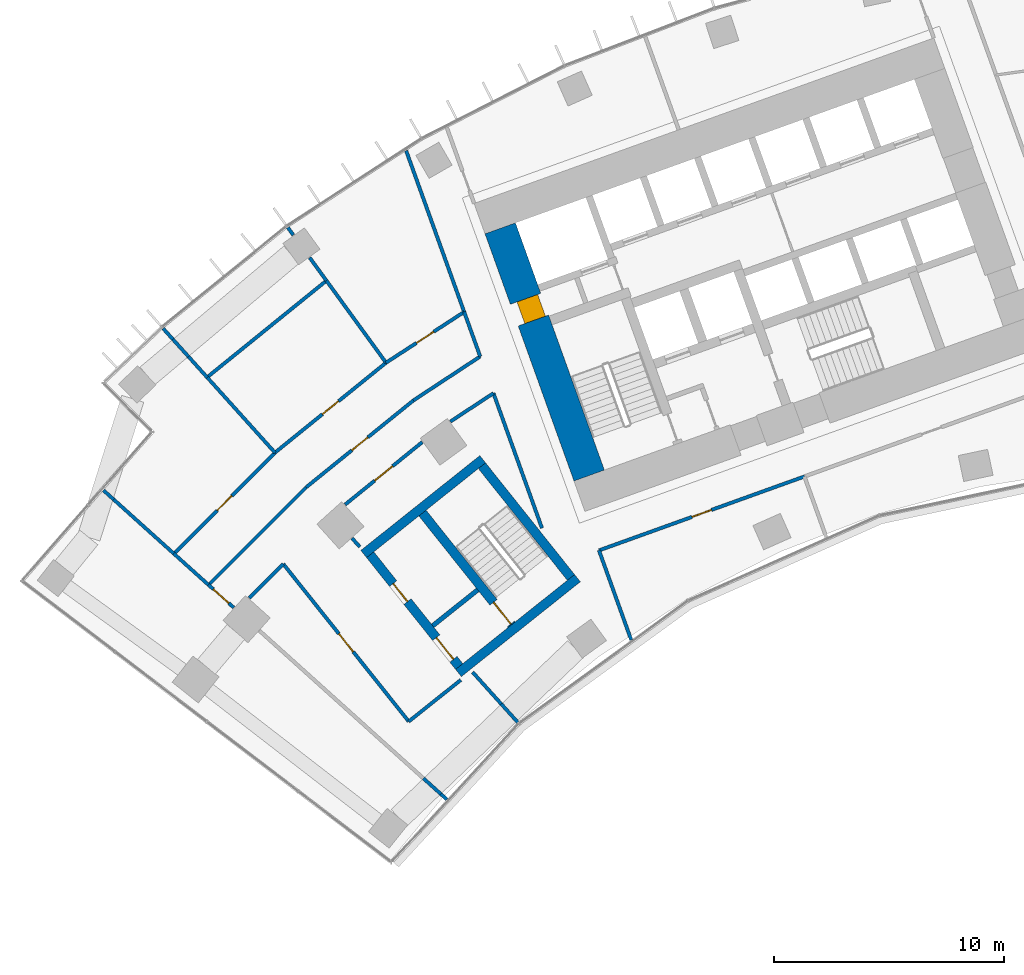
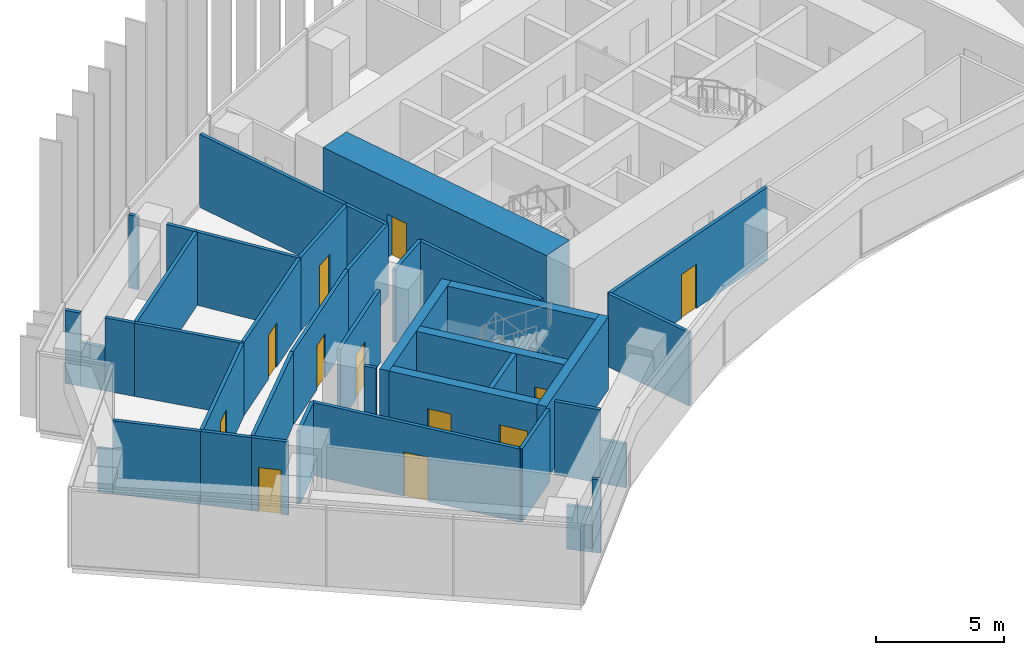
# One storey, part 16 of 23: 40 walls, 12 doors, 12 openings.
"""IFC4 building model written with IfcOpenShell, lengths in metres."""

from ifc_helpers import new_model, si_unit, direction, frame, frame_2d, origin, place, context, subcontext, project, spatial, rectangle, extrude, material, layer, layer_set, type_object, element, fill, save


model = new_model("IFC4")

# Units and contexts
model_context = context("Model", 3, precision=1e-05, world=origin(), true_north=direction((0.0, 1.0)))
body_context = subcontext(model_context, "Body", "Model", "MODEL_VIEW")
ifc_project = project(units=[si_unit("LENGTHUNIT", "METRE"), si_unit("AREAUNIT", "SQUARE_METRE"), si_unit("VOLUMEUNIT", "CUBIC_METRE"), si_unit("PLANEANGLEUNIT", "RADIAN"), si_unit("MASSUNIT", "GRAM", prefix="KILO")], contexts=[model_context])

# Site, building, storey
site_placement = place(None, origin())
site = spatial("IfcSite", under=ifc_project, at=site_placement, CompositionType="ELEMENT")
building_placement = place(site_placement, origin())
building = spatial("IfcBuilding", under=site, at=building_placement, Name="Stone Belt Terrace Tower", CompositionType="ELEMENT")
storey_placement = place(building_placement, frame((0.0, 0.0, 98.39990234375)))
storey = spatial("IfcBuildingStorey", under=building, at=storey_placement, Name="L23", CompositionType="ELEMENT", Elevation=98.39990234375)

# Wall, opening, door
ifc_material_1 = material(Name="Concrete B80", Category="concrete")
ifc_layer_1 = layer(ifc_material_1, 1.39990234375)
ifc_layer_set_1 = layer_set([ifc_layer_1], Name="Core wall 1400 B80")
wall_type_1 = type_object("IfcWallType", Name="Core wall 1400 B80", PredefinedType="SHEAR", material=ifc_layer_set_1)
wall_1_placement = place(storey_placement, frame((-26.00927734375, 43.03515625, 0.0), z_axis=(0.0, 0.0, 1.0), x_axis=(-0.338625431531, 0.940921259788, 0.0)))
wall_1 = element("IfcWall", 1, at=wall_1_placement, inside=storey, type_object=wall_type_1, Name="Core A wall end_a L23", PredefinedType="SHEAR", context=body_context, shape_type="SweptSolid", body=[
    extrude(rectangle(XDim=11.400146484375, YDim=1.39990234375, at=frame_2d((5.7001953125, 0.0))), origin(), (0.0, 0.0, 1.0), 3.800048828125),
])
opening_1_placement = place(wall_1_placement, frame((7.14990234375, 0.0, 0.0)))
opening_1 = element("IfcOpeningElement", 2, at=opening_1_placement, cuts=wall_1, Name="Opening L23-C01", PredefinedType="OPENING", context=body_context, shape_type="SweptSolid", body=[
    extrude(rectangle(XDim=1.0, YDim=2.10009765625, at=frame_2d((0.5, 1.050048828125))), frame((0.0, 0.7099609375, 0.0), z_axis=(0.0, -1.0, 0.0), x_axis=(1.0, 0.0, 0.0)), (0.0, 0.0, 1.0), 1.419921875),
])
ifc_material_2 = material(Name="Timber door leaf", Category="wood")
door_type_1 = type_object("IfcDoorType", Name="Core room door 1000", OperationType="SINGLE_SWING_LEFT", PredefinedType="DOOR", material=ifc_material_2)
door_1_placement = place(opening_1_placement, origin())
door_1 = element("IfcDoor", 3, at=door_1_placement, inside=storey, type_object=door_type_1, Name="Door to Telecommunications riser room core A", OperationType="SINGLE_SWING_LEFT", OverallHeight=2.10009765625, OverallWidth=1.0, PredefinedType="DOOR", context=body_context, shape_type="SweptSolid", body=[
    extrude(rectangle(XDim=1.0, YDim=2.10009765625, at=frame_2d((0.5, 1.050048828125))), frame((0.0, 0.39501953125, 0.0), z_axis=(0.0, -1.0, 0.0), x_axis=(1.0, 0.0, 0.0)), (0.0, 0.0, 1.0), 0.949951171875),
])
fill(opening_1, door_1)

# Walls
ifc_material_3 = material(Name="Gypsum board partition")
ifc_layer_2 = layer(ifc_material_3, 0.14990234375)
ifc_layer_set_2 = layer_set([ifc_layer_2], Name="PARTITION 150 EI 60")
wall_type_2 = type_object("IfcWallType", Name="PARTITION 150 EI 60", PredefinedType="PARTITIONING", material=ifc_layer_set_2)
wall_2_placement = place(storey_placement, frame((-25.5859375, 39.79296875, 0.0), z_axis=(0.0, 0.0, 1.0), x_axis=(0.338545933013, -0.940949866486, 0.0)))
element("IfcWall", 4, at=wall_2_placement, inside=storey, type_object=wall_type_2, Name="L23/wall/i001", PredefinedType="PARTITIONING", context=body_context, shape_type="SweptSolid", body=[
    extrude(rectangle(XDim=4.135009765625, YDim=0.14990234375, at=frame_2d((2.0673828125, 0.0))), origin(), (0.0, 0.0, 1.0), 3.47998046875),
])
wall_3_placement = place(storey_placement, frame((-28.05810546875, 40.75390625, 0.0), z_axis=(0.0, 0.0, 1.0), x_axis=(-0.338523697563, 0.94095786632, 0.0)))
element("IfcWall", 5, at=wall_3_placement, inside=storey, type_object=wall_type_2, Name="L23/wall/i003", PredefinedType="PARTITIONING", context=body_context, shape_type="SweptSolid", body=[
    extrude(rectangle(XDim=6.226806640625, YDim=0.14990234375, at=frame_2d((3.11328125, 0.0))), origin(), (0.0, 0.0, 1.0), 3.47998046875),
])
wall_4_placement = place(storey_placement, frame((-29.107177734375, 32.32666015625, 0.0), z_axis=(0.0, 0.0, 1.0), x_axis=(-0.669280928741, 0.743009447062, 0.0)))
element("IfcWall", 6, at=wall_4_placement, inside=storey, type_object=wall_type_2, Name="L23/wall/i004-2", PredefinedType="PARTITIONING", context=body_context, shape_type="SweptSolid", body=[
    extrude(rectangle(XDim=1.066162109375, YDim=0.14990234375, at=frame_2d((0.533203125, 0.0))), origin(), (0.0, 0.0, 1.0), 2.080078125),
])
wall_5_placement = place(storey_placement, frame((-29.82080078125, 33.118896484375, 0.0), z_axis=(0.0, 0.0, 1.0), x_axis=(-0.669224611533, 0.743060172071, 0.0)))
element("IfcWall", 7, at=wall_5_placement, inside=storey, type_object=wall_type_2, Name="L23/wall/i004-3", PredefinedType="PARTITIONING", context=body_context, shape_type="SweptSolid", body=[
    extrude(rectangle(XDim=1.8681640625, YDim=0.14990234375, at=frame_2d((0.93408203125, 0.0))), origin(), (0.0, 0.0, 1.0), 3.47998046875),
])
wall_6_placement = place(storey_placement, frame((-30.737060546875, 48.197021484375, 0.0), z_axis=(0.0, 0.0, 1.0), x_axis=(-0.338522672426, 0.940958235127, 0.0)))
element("IfcWall", 8, at=wall_6_placement, inside=storey, type_object=wall_type_2, Name="L23/wall/i005", PredefinedType="PARTITIONING", context=body_context, shape_type="SweptSolid", body=[
    extrude(rectangle(XDim=2.064697265625, YDim=0.14990234375, at=frame_2d((1.0322265625, 0.0))), origin(), (0.0, 0.0, 1.0), 3.47998046875),
])
wall_7_placement = place(storey_placement, frame((-31.431884765625, 50.12890625, 0.0), z_axis=(0.0, 0.0, 1.0), x_axis=(-0.338627692375, 0.940920446136, 0.0)))
element("IfcWall", 9, at=wall_7_placement, inside=storey, type_object=wall_type_2, Name="L23/wall/i006", PredefinedType="PARTITIONING", context=body_context, shape_type="SweptSolid", body=[
    extrude(rectangle(XDim=7.44189453125, YDim=0.14990234375, at=frame_2d((3.720947265625, 0.0))), origin(), (0.0, 0.0, 1.0), 3.47998046875),
])

# Wall, opening, door
wall_8_placement = place(storey_placement, frame((-16.6640625, 42.9970703125, 0.0), z_axis=(0.0, 0.0, 1.0), x_axis=(-0.940928114496, -0.338606384098, 0.0)))
wall_8 = element("IfcWall", 10, at=wall_8_placement, inside=storey, type_object=wall_type_2, Name="L23/wall/i012", PredefinedType="PARTITIONING", context=body_context, shape_type="SweptSolid", body=[
    extrude(rectangle(XDim=9.47998046875, YDim=0.14990234375, at=frame_2d((4.739990234375, 0.0))), origin(), (0.0, 0.0, 1.0), 3.47998046875),
])
opening_2_placement = place(wall_8_placement, frame((4.2900390625, 0.0, 0.0)))
opening_2 = element("IfcOpeningElement", 11, at=opening_2_placement, cuts=wall_8, Name="Opening D-B2-01", PredefinedType="OPENING", context=body_context, shape_type="SweptSolid", body=[
    extrude(rectangle(XDim=0.89990234375, YDim=2.10009765625, at=frame_2d((0.449951171875, 1.050048828125))), frame((0.0, 0.0849609375, 0.0), z_axis=(0.0, -1.0, 0.0), x_axis=(1.0, 0.0, 0.0)), (0.0, 0.0, 1.0), 0.169921875),
])
door_type_2 = type_object("IfcDoorType", Name="OFFICE DOOR 900 X 2100", OperationType="NOTDEFINED", PredefinedType="DOOR", material=ifc_material_2)
door_2_placement = place(opening_2_placement, origin())
door_2 = element("IfcDoor", 12, at=door_2_placement, inside=storey, type_object=door_type_2, Name="L23/door/i01", OperationType="SINGLE_SWING_RIGHT", OverallHeight=2.10009765625, OverallWidth=0.89990234375, PredefinedType="DOOR", context=body_context, shape_type="SweptSolid", body=[
    extrude(rectangle(XDim=0.89990234375, YDim=2.10009765625, at=frame_2d((0.449951171875, 1.050048828125))), frame((0.0, 0.02490234375, 0.0), z_axis=(0.0, -1.0, 0.0), x_axis=(1.0, 0.0, 0.0)), (0.0, 0.0, 1.0), 0.050048828125),
])
fill(opening_2, door_2)

wall_9_placement = place(storey_placement, frame((-41.43408203125, 37.307373046875, 0.0), z_axis=(0.0, 0.0, 1.0), x_axis=(-0.742890797428, 0.669412625439, 0.0)))
wall_9 = element("IfcWall", 13, at=wall_9_placement, inside=storey, type_object=wall_type_2, Name="L23/wall/i027", PredefinedType="PARTITIONING", context=body_context, shape_type="SweptSolid", body=[
    extrude(rectangle(XDim=1.475341796875, YDim=0.14990234375, at=frame_2d((0.73779296875, 0.0))), origin(), (0.0, 0.0, 1.0), 3.47998046875),
])
opening_3_placement = place(wall_9_placement, frame((0.28759765625, 0.0, 0.0)))
opening_3 = element("IfcOpeningElement", 14, at=opening_3_placement, cuts=wall_9, Name="Opening D-B2-09", PredefinedType="OPENING", context=body_context, shape_type="SweptSolid", body=[
    extrude(rectangle(XDim=0.89990234375, YDim=2.10009765625, at=frame_2d((0.449951171875, 1.050048828125))), frame((0.0, 0.0849609375, 0.0), z_axis=(0.0, -1.0, 0.0), x_axis=(1.0, 0.0, 0.0)), (0.0, 0.0, 1.0), 0.169921875),
])
ifc_material_4 = material(Name="Timber fire door leaf", Category="wood")
door_type_3 = type_object("IfcDoorType", Name="TENANCY ENTRANCE DOOR 900 X 2100", OperationType="NOTDEFINED", PredefinedType="DOOR", material=ifc_material_4)
door_3_placement = place(opening_3_placement, origin())
door_3 = element("IfcDoor", 15, at=door_3_placement, inside=storey, type_object=door_type_3, Name="L23/door/i09", OperationType="SINGLE_SWING_RIGHT", OverallHeight=2.10009765625, OverallWidth=0.89990234375, PredefinedType="DOOR", context=body_context, shape_type="SweptSolid", body=[
    extrude(rectangle(XDim=0.89990234375, YDim=2.10009765625, at=frame_2d((0.449951171875, 1.050048828125))), frame((0.0, 0.02490234375, 0.0), z_axis=(0.0, -1.0, 0.0), x_axis=(1.0, 0.0, 0.0)), (0.0, 0.0, 1.0), 0.050048828125),
])
fill(opening_3, door_3)

# Walls
wall_10_placement = place(storey_placement, frame((-33.2001953125, 29.89453125, 0.0), z_axis=(0.0, 0.0, 1.0), x_axis=(0.743090633604, -0.669190787631, 0.0)))
element("IfcWall", 16, at=wall_10_placement, inside=storey, type_object=wall_type_2, Name="L23/wall/i028-2", PredefinedType="PARTITIONING", context=body_context, shape_type="SweptSolid", body=[
    extrude(rectangle(XDim=1.01416015625, YDim=0.14990234375, at=frame_2d((0.507080078125, 0.0))), origin(), (0.0, 0.0, 1.0), 2.080078125),
])
wall_11_placement = place(storey_placement, frame((-32.446533203125, 29.2158203125, 0.0), z_axis=(0.0, 0.0, 1.0), x_axis=(0.743224545395, -0.669042057813, 0.0)))
element("IfcWall", 17, at=wall_11_placement, inside=storey, type_object=wall_type_2, Name="L23/wall/i028-3", PredefinedType="PARTITIONING", context=body_context, shape_type="SweptSolid", body=[
    extrude(rectangle(XDim=0.348876953125, YDim=0.14990234375, at=frame_2d((0.17431640625, 0.0))), origin(), (0.0, 0.0, 1.0), 3.47998046875),
])
wall_12_placement = place(storey_placement, frame((-44.033935546875, 39.64794921875, 0.0), z_axis=(0.0, 0.0, 1.0), x_axis=(0.743276242629, -0.668984623997, 0.0)))
element("IfcWall", 18, at=wall_12_placement, inside=storey, type_object=wall_type_2, Name="L23/wall/i029", PredefinedType="PARTITIONING", context=body_context, shape_type="SweptSolid", body=[
    extrude(rectangle(XDim=2.0341796875, YDim=0.14990234375, at=frame_2d((1.01708984375, 0.0))), origin(), (0.0, 0.0, 1.0), 3.47998046875),
])
wall_13_placement = place(storey_placement, frame((-47.08642578125, 42.39697265625, 0.0), z_axis=(0.0, 0.0, 1.0), x_axis=(0.743112296476, -0.669166731709, 0.0)))
element("IfcWall", 19, at=wall_13_placement, inside=storey, type_object=wall_type_2, Name="L23/wall/i030-1", PredefinedType="PARTITIONING", context=body_context, shape_type="SweptSolid", body=[
    extrude(rectangle(XDim=0.600830078125, YDim=0.14990234375, at=frame_2d((0.30029296875, 0.0))), origin(), (0.0, 0.0, 1.0), 2.080078125),
])
wall_14_placement = place(storey_placement, frame((-46.639892578125, 41.994873046875, 0.0), z_axis=(0.0, 0.0, 1.0), x_axis=(0.743256190388, -0.669006902393, 0.0)))
element("IfcWall", 20, at=wall_14_placement, inside=storey, type_object=wall_type_2, Name="L23/wall/i030-2", PredefinedType="PARTITIONING", context=body_context, shape_type="SweptSolid", body=[
    extrude(rectangle(XDim=3.518310546875, YDim=0.14990234375, at=frame_2d((1.75927734375, 0.0))), origin(), (0.0, 0.0, 1.0), 3.47998046875),
])
wall_15_placement = place(storey_placement, frame((-30.1640625, 46.60693359375, 0.0), z_axis=(0.0, 0.0, 1.0), x_axis=(-0.835456606052, -0.549556420583, 0.0)))
element("IfcWall", 21, at=wall_15_placement, inside=storey, type_object=wall_type_2, Name="L23/wall/i031", PredefinedType="PARTITIONING", context=body_context, shape_type="SweptSolid", body=[
    extrude(rectangle(XDim=2.239013671875, YDim=0.14990234375, at=frame_2d((1.11962890625, 0.0))), origin(), (0.0, 0.0, 1.0), 3.47998046875),
])

# Wall, opening, door
wall_16_placement = place(storey_placement, frame((-33.253662109375, 44.485107421875, 0.0), z_axis=(0.0, 0.0, 1.0), x_axis=(-0.777153738144, -0.62931078752, 0.0)))
wall_16 = element("IfcWall", 22, at=wall_16_placement, inside=storey, type_object=wall_type_2, Name="L23/wall/i032", PredefinedType="PARTITIONING", context=body_context, shape_type="SweptSolid", body=[
    extrude(rectangle(XDim=4.30517578125, YDim=0.14990234375, at=frame_2d((2.152587890625, 0.0))), origin(), (0.0, 0.0, 1.0), 3.47998046875),
])
opening_4_placement = place(wall_16_placement, frame((1.652587890625, 0.0, 0.0)))
opening_4 = element("IfcOpeningElement", 23, at=opening_4_placement, cuts=wall_16, Name="Opening D-B2-10", PredefinedType="OPENING", context=body_context, shape_type="SweptSolid", body=[
    extrude(rectangle(XDim=1.0, YDim=2.10009765625, at=frame_2d((0.5, 1.050048828125))), frame((0.0, 0.0849609375, 0.0), z_axis=(0.0, -1.0, 0.0), x_axis=(1.0, 0.0, 0.0)), (0.0, 0.0, 1.0), 0.169921875),
])
door_type_4 = type_object("IfcDoorType", Name="TENANCY ENTRANCE DOOR 1000 X 2100", OperationType="NOTDEFINED", PredefinedType="DOOR", material=ifc_material_4)
door_4_placement = place(opening_4_placement, origin())
door_4 = element("IfcDoor", 24, at=door_4_placement, inside=storey, type_object=door_type_4, Name="L23/door/i10", OperationType="SINGLE_SWING_RIGHT", OverallHeight=2.10009765625, OverallWidth=1.0, PredefinedType="DOOR", context=body_context, shape_type="SweptSolid", body=[
    extrude(rectangle(XDim=1.0, YDim=2.10009765625, at=frame_2d((0.5, 1.050048828125))), frame((0.0, 0.02490234375, 0.0), z_axis=(0.0, -1.0, 0.0), x_axis=(1.0, 0.0, 0.0)), (0.0, 0.0, 1.0), 0.050048828125),
])
fill(opening_4, door_4)

# Walls
wall_17_placement = place(storey_placement, frame((-39.281982421875, 39.205078125, 0.0), z_axis=(0.0, 0.0, 1.0), x_axis=(-0.707106781187, -0.707106781187, 0.0)))
element("IfcWall", 25, at=wall_17_placement, inside=storey, type_object=wall_type_2, Name="L23/wall/i033", PredefinedType="PARTITIONING", context=body_context, shape_type="SweptSolid", body=[
    extrude(rectangle(XDim=2.09814453125, YDim=0.14990234375, at=frame_2d((1.049072265625, 0.0))), origin(), (0.0, 0.0, 1.0), 3.47998046875),
])
wall_18_placement = place(storey_placement, frame((-42.52587890625, 38.291015625, 0.0), z_axis=(0.0, 0.0, 1.0), x_axis=(0.707106781187, 0.707106781187, 0.0)))
element("IfcWall", 26, at=wall_18_placement, inside=storey, type_object=wall_type_2, Name="L23/wall/i034", PredefinedType="PARTITIONING", context=body_context, shape_type="SweptSolid", body=[
    extrude(rectangle(XDim=5.989013671875, YDim=0.14990234375, at=frame_2d((2.99462890625, 0.0))), origin(), (0.0, 0.0, 1.0), 3.47998046875),
])

# Wall, opening, door
wall_19_placement = place(storey_placement, frame((-38.291015625, 42.52587890625, 0.0), z_axis=(0.0, 0.0, 1.0), x_axis=(0.777109127033, 0.629365875054, 0.0)))
wall_19 = element("IfcWall", 27, at=wall_19_placement, inside=storey, type_object=wall_type_2, Name="L23/wall/i035", PredefinedType="PARTITIONING", context=body_context, shape_type="SweptSolid", body=[
    extrude(rectangle(XDim=5.990234375, YDim=0.14990234375, at=frame_2d((2.9951171875, 0.0))), origin(), (0.0, 0.0, 1.0), 3.47998046875),
])
opening_5_placement = place(wall_19_placement, frame((2.545166015625, 0.0, 0.0)))
opening_5 = element("IfcOpeningElement", 28, at=opening_5_placement, cuts=wall_19, Name="Opening D-B2-12", PredefinedType="OPENING", context=body_context, shape_type="SweptSolid", body=[
    extrude(rectangle(XDim=0.89990234375, YDim=2.10009765625, at=frame_2d((0.449951171875, 1.050048828125))), frame((0.0, 0.0849609375, 0.0), z_axis=(0.0, -1.0, 0.0), x_axis=(1.0, 0.0, 0.0)), (0.0, 0.0, 1.0), 0.169921875),
])
door_5_placement = place(opening_5_placement, origin())
door_5 = element("IfcDoor", 29, at=door_5_placement, inside=storey, type_object=door_type_2, Name="L23/door/i12", OperationType="SINGLE_SWING_RIGHT", OverallHeight=2.10009765625, OverallWidth=0.89990234375, PredefinedType="DOOR", context=body_context, shape_type="SweptSolid", body=[
    extrude(rectangle(XDim=0.89990234375, YDim=2.10009765625, at=frame_2d((0.449951171875, 1.050048828125))), frame((0.0, 0.02490234375, 0.0), z_axis=(0.0, -1.0, 0.0), x_axis=(1.0, 0.0, 0.0)), (0.0, 0.0, 1.0), 0.050048828125),
])
fill(opening_5, door_5)

# Walls
wall_20_placement = place(storey_placement, frame((-33.635986328125, 46.2958984375, 0.0), z_axis=(0.0, 0.0, 1.0), x_axis=(0.835274160171, 0.549833681535, 0.0)))
element("IfcWall", 30, at=wall_20_placement, inside=storey, type_object=wall_type_2, Name="L23/wall/i036", PredefinedType="PARTITIONING", context=body_context, shape_type="SweptSolid", body=[
    extrude(rectangle(XDim=3.46826171875, YDim=0.14990234375, at=frame_2d((1.734130859375, 0.0))), origin(), (0.0, 0.0, 1.0), 3.47998046875),
])
wall_21_placement = place(storey_placement, frame((-36.297119140625, 40.311767578125, 0.0), z_axis=(0.0, 0.0, 1.0), x_axis=(0.669100229536, -0.743172175768, 0.0)))
element("IfcWall", 31, at=wall_21_placement, inside=storey, type_object=wall_type_2, Name="L23/wall/i037", PredefinedType="PARTITIONING", context=body_context, shape_type="SweptSolid", body=[
    extrude(rectangle(XDim=0.497802734375, YDim=0.14990234375, at=frame_2d((0.2490234375, 0.0))), origin(), (0.0, 0.0, 1.0), 3.47998046875),
])
wall_22_placement = place(storey_placement, frame((-31.58203125, 34.1640625, 0.0), z_axis=(0.0, 0.0, 1.0), x_axis=(-0.78211299795, -0.623136629029, 0.0)))
element("IfcWall", 32, at=wall_22_placement, inside=storey, type_object=wall_type_2, Name="L23/wall/i038", PredefinedType="PARTITIONING", context=body_context, shape_type="SweptSolid", body=[
    extrude(rectangle(XDim=2.88720703125, YDim=0.14990234375, at=frame_2d((1.443603515625, 0.0))), origin(), (0.0, 0.0, 1.0), 3.47998046875),
])

# Wall, opening, door
wall_23_placement = place(storey_placement, frame((-33.841064453125, 32.365966796875, 0.0), z_axis=(0.0, 0.0, 1.0), x_axis=(-0.623078744687, 0.782159112917, 0.0)))
wall_23 = element("IfcWall", 33, at=wall_23_placement, inside=storey, type_object=wall_type_2, Name="L23/wall/i039", PredefinedType="PARTITIONING", context=body_context, shape_type="SweptSolid", body=[
    extrude(rectangle(XDim=8.738525390625, YDim=0.14990234375, at=frame_2d((4.369140625, 0.0))), origin(), (0.0, 0.0, 1.0), 3.47998046875),
])
opening_6_placement = place(wall_23_placement, frame((3.869384765625, 0.0, 0.0)))
opening_6 = element("IfcOpeningElement", 34, at=opening_6_placement, cuts=wall_23, Name="Opening D-B2-11", PredefinedType="OPENING", context=body_context, shape_type="SweptSolid", body=[
    extrude(rectangle(XDim=1.0, YDim=2.10009765625, at=frame_2d((0.5, 1.050048828125))), frame((0.0, 0.0849609375, 0.0), z_axis=(0.0, -1.0, 0.0), x_axis=(1.0, 0.0, 0.0)), (0.0, 0.0, 1.0), 0.169921875),
])
door_6_placement = place(opening_6_placement, origin())
door_6 = element("IfcDoor", 35, at=door_6_placement, inside=storey, type_object=door_type_4, Name="L23/door/i11", OperationType="SINGLE_SWING_RIGHT", OverallHeight=2.10009765625, OverallWidth=1.0, PredefinedType="DOOR", context=body_context, shape_type="SweptSolid", body=[
    extrude(rectangle(XDim=1.0, YDim=2.10009765625, at=frame_2d((0.5, 1.050048828125))), frame((0.0, 0.02490234375, 0.0), z_axis=(0.0, -1.0, 0.0), x_axis=(1.0, 0.0, 0.0)), (0.0, 0.0, 1.0), 0.050048828125),
])
fill(opening_6, door_6)

wall_24_placement = place(storey_placement, frame((-44.029052734375, 39.64501953125, 0.0), z_axis=(0.0, 0.0, 1.0), x_axis=(0.707106781187, 0.707106781187, 0.0)))
wall_24 = element("IfcWall", 36, at=wall_24_placement, inside=storey, type_object=wall_type_2, Name="L23/wall/i040", PredefinedType="PARTITIONING", context=body_context, shape_type="SweptSolid", body=[
    extrude(rectangle(XDim=6.201416015625, YDim=0.14990234375, at=frame_2d((3.1005859375, 0.0))), origin(), (0.0, 0.0, 1.0), 3.47998046875),
])
opening_7_placement = place(wall_24_placement, frame((2.650634765625, 0.0, 0.0)))
opening_7 = element("IfcOpeningElement", 37, at=opening_7_placement, cuts=wall_24, Name="Opening D-B2-13", PredefinedType="OPENING", context=body_context, shape_type="SweptSolid", body=[
    extrude(rectangle(XDim=0.89990234375, YDim=2.10009765625, at=frame_2d((0.449951171875, 1.050048828125))), frame((0.0, 0.0849609375, 0.0), z_axis=(0.0, -1.0, 0.0), x_axis=(1.0, 0.0, 0.0)), (0.0, 0.0, 1.0), 0.169921875),
])
door_7_placement = place(opening_7_placement, origin())
door_7 = element("IfcDoor", 38, at=door_7_placement, inside=storey, type_object=door_type_2, Name="L23/door/i13", OperationType="SINGLE_SWING_RIGHT", OverallHeight=2.10009765625, OverallWidth=0.89990234375, PredefinedType="DOOR", context=body_context, shape_type="SweptSolid", body=[
    extrude(rectangle(XDim=0.89990234375, YDim=2.10009765625, at=frame_2d((0.449951171875, 1.050048828125))), frame((0.0, 0.02490234375, 0.0), z_axis=(0.0, -1.0, 0.0), x_axis=(1.0, 0.0, 0.0)), (0.0, 0.0, 1.0), 0.050048828125),
])
fill(opening_7, door_7)

wall_25_placement = place(storey_placement, frame((-39.64404296875, 44.030029296875, 0.0), z_axis=(0.0, 0.0, 1.0), x_axis=(0.777190769916, 0.629265053184, 0.0)))
wall_25 = element("IfcWall", 39, at=wall_25_placement, inside=storey, type_object=wall_type_2, Name="L23/wall/i041", PredefinedType="PARTITIONING", context=body_context, shape_type="SweptSolid", body=[
    extrude(rectangle(XDim=6.20068359375, YDim=0.14990234375, at=frame_2d((3.100341796875, 0.0))), origin(), (0.0, 0.0, 1.0), 3.47998046875),
])
opening_8_placement = place(wall_25_placement, frame((2.650390625, 0.0, 0.0)))
opening_8 = element("IfcOpeningElement", 40, at=opening_8_placement, cuts=wall_25, Name="Opening D-B2-14", PredefinedType="OPENING", context=body_context, shape_type="SweptSolid", body=[
    extrude(rectangle(XDim=0.89990234375, YDim=2.10009765625, at=frame_2d((0.449951171875, 1.050048828125))), frame((0.0, 0.0849609375, 0.0), z_axis=(0.0, -1.0, 0.0), x_axis=(1.0, 0.0, 0.0)), (0.0, 0.0, 1.0), 0.169921875),
])
door_8_placement = place(opening_8_placement, origin())
door_8 = element("IfcDoor", 41, at=door_8_placement, inside=storey, type_object=door_type_2, Name="L23/door/i14", OperationType="SINGLE_SWING_RIGHT", OverallHeight=2.10009765625, OverallWidth=0.89990234375, PredefinedType="DOOR", context=body_context, shape_type="SweptSolid", body=[
    extrude(rectangle(XDim=0.89990234375, YDim=2.10009765625, at=frame_2d((0.449951171875, 1.050048828125))), frame((0.0, 0.02490234375, 0.0), z_axis=(0.0, -1.0, 0.0), x_axis=(1.0, 0.0, 0.0)), (0.0, 0.0, 1.0), 0.050048828125),
])
fill(opening_8, door_8)

wall_26_placement = place(storey_placement, frame((-34.824951171875, 47.931884765625, 0.0), z_axis=(0.0, 0.0, 1.0), x_axis=(0.838660143757, 0.544655086521, 0.0)))
wall_26 = element("IfcWall", 42, at=wall_26_placement, inside=storey, type_object=wall_type_2, Name="L23/wall/i042", PredefinedType="PARTITIONING", context=body_context, shape_type="SweptSolid", body=[
    extrude(rectangle(XDim=4.043212890625, YDim=0.14990234375, at=frame_2d((2.021484375, 0.0))), origin(), (0.0, 0.0, 1.0), 3.47998046875),
])
opening_9_placement = place(wall_26_placement, frame((1.571533203125, 0.0, 0.0)))
opening_9 = element("IfcOpeningElement", 43, at=opening_9_placement, cuts=wall_26, Name="Opening D-B2-15", PredefinedType="OPENING", context=body_context, shape_type="SweptSolid", body=[
    extrude(rectangle(XDim=0.89990234375, YDim=2.10009765625, at=frame_2d((0.449951171875, 1.050048828125))), frame((0.0, 0.0849609375, 0.0), z_axis=(0.0, -1.0, 0.0), x_axis=(1.0, 0.0, 0.0)), (0.0, 0.0, 1.0), 0.169921875),
])
door_9_placement = place(opening_9_placement, origin())
door_9 = element("IfcDoor", 44, at=door_9_placement, inside=storey, type_object=door_type_2, Name="L23/door/i15", OperationType="SINGLE_SWING_RIGHT", OverallHeight=2.10009765625, OverallWidth=0.89990234375, PredefinedType="DOOR", context=body_context, shape_type="SweptSolid", body=[
    extrude(rectangle(XDim=0.89990234375, YDim=2.10009765625, at=frame_2d((0.449951171875, 1.050048828125))), frame((0.0, 0.02490234375, 0.0), z_axis=(0.0, -1.0, 0.0), x_axis=(1.0, 0.0, 0.0)), (0.0, 0.0, 1.0), 0.050048828125),
])
fill(opening_9, door_9)

# Walls
wall_27_placement = place(storey_placement, frame((-42.592041015625, 47.302978515625, 0.0), z_axis=(0.0, 0.0, 1.0), x_axis=(0.669258646934, -0.74302951725, 0.0)))
element("IfcWall", 45, at=wall_27_placement, inside=storey, type_object=wall_type_2, Name="L23/wall/i043", PredefinedType="PARTITIONING", context=body_context, shape_type="SweptSolid", body=[
    extrude(rectangle(XDim=4.40478515625, YDim=0.14990234375, at=frame_2d((2.202392578125, 0.0))), origin(), (0.0, 0.0, 1.0), 3.47998046875),
])
wall_28_placement = place(storey_placement, frame((-44.496826171875, 49.41943359375, 0.0), z_axis=(0.0, 0.0, 1.0), x_axis=(0.668964731622, -0.743294146247, 0.0)))
element("IfcWall", 46, at=wall_28_placement, inside=storey, type_object=wall_type_2, Name="L23/wall/i044-1", PredefinedType="PARTITIONING", context=body_context, shape_type="SweptSolid", body=[
    extrude(rectangle(XDim=0.63720703125, YDim=0.14990234375, at=frame_2d((0.318603515625, 0.0))), origin(), (0.0, 0.0, 1.0), 3.47998046875),
])
wall_29_placement = place(storey_placement, frame((-44.070556640625, 48.94580078125, 0.0), z_axis=(0.0, 0.0, 1.0), x_axis=(0.668857418812, -0.743390713757, 0.0)))
element("IfcWall", 47, at=wall_29_placement, inside=storey, type_object=wall_type_2, Name="L23/wall/i044-2", PredefinedType="PARTITIONING", context=body_context, shape_type="SweptSolid", body=[
    extrude(rectangle(XDim=1.005615234375, YDim=0.14990234375, at=frame_2d((0.5029296875, 0.0))), origin(), (0.0, 0.0, 1.0), 2.080078125),
])
wall_30_placement = place(storey_placement, frame((-43.39794921875, 48.1982421875, 0.0), z_axis=(0.0, 0.0, 1.0), x_axis=(0.669009075756, -0.743254234133, 0.0)))
element("IfcWall", 48, at=wall_30_placement, inside=storey, type_object=wall_type_2, Name="L23/wall/i044-3", PredefinedType="PARTITIONING", context=body_context, shape_type="SweptSolid", body=[
    extrude(rectangle(XDim=1.216552734375, YDim=0.14990234375, at=frame_2d((0.6083984375, 0.0))), origin(), (0.0, 0.0, 1.0), 3.47998046875),
])
wall_31_placement = place(storey_placement, frame((-42.587890625, 47.299072265625, 0.0), z_axis=(0.0, 0.0, 1.0), x_axis=(0.777100621569, 0.629376377025, 0.0)))
element("IfcWall", 49, at=wall_31_placement, inside=storey, type_object=wall_type_2, Name="L23/wall/i045", PredefinedType="PARTITIONING", context=body_context, shape_type="SweptSolid", body=[
    extrude(rectangle(XDim=6.661865234375, YDim=0.14990234375, at=frame_2d((3.3310546875, 0.0))), origin(), (0.0, 0.0, 1.0), 3.47998046875),
])
wall_32_placement = place(storey_placement, frame((-37.410888671875, 51.491943359375, 0.0), z_axis=(0.0, 0.0, 1.0), x_axis=(0.587696525109, -0.809081451014, 0.0)))
element("IfcWall", 50, at=wall_32_placement, inside=storey, type_object=wall_type_2, Name="L23/wall/i046", PredefinedType="PARTITIONING", context=body_context, shape_type="SweptSolid", body=[
    extrude(rectangle(XDim=4.400146484375, YDim=0.14990234375, at=frame_2d((2.2001953125, 0.0))), origin(), (0.0, 0.0, 1.0), 3.47998046875),
])
wall_33_placement = place(storey_placement, frame((-39.087890625, 53.7998046875, 0.0), z_axis=(0.0, 0.0, 1.0), x_axis=(0.588207421816, -0.808710101904, 0.0)))
element("IfcWall", 51, at=wall_33_placement, inside=storey, type_object=wall_type_2, Name="L23/wall/i047", PredefinedType="PARTITIONING", context=body_context, shape_type="SweptSolid", body=[
    extrude(rectangle(XDim=0.40625, YDim=0.14990234375, at=frame_2d((0.203125, 0.0))), origin(), (0.0, 0.0, 1.0), 3.47998046875),
])
wall_34_placement = place(storey_placement, frame((-38.1376953125, 52.4921875, 0.0), z_axis=(0.0, 0.0, 1.0), x_axis=(0.587831164671, -0.808983635089, 0.0)))
element("IfcWall", 52, at=wall_34_placement, inside=storey, type_object=wall_type_2, Name="L23/wall/i048", PredefinedType="PARTITIONING", context=body_context, shape_type="SweptSolid", body=[
    extrude(rectangle(XDim=1.236328125, YDim=0.14990234375, at=frame_2d((0.6181640625, 0.0))), origin(), (0.0, 0.0, 1.0), 3.47998046875),
])
ifc_material_5 = material(Name="Concrete masonry block", Category="masonry")
ifc_layer_3 = layer(ifc_material_5, 0.199951171875)
ifc_layer_set_3 = layer_set([ifc_layer_3], Name="Rated lobby wall 200")
wall_type_3 = type_object("IfcWallType", Name="Rated lobby wall 200", PredefinedType="PARTITIONING", material=ifc_layer_set_3)
wall_35_placement = place(storey_placement, frame((-30.845703125, 38.074951171875, 0.0), z_axis=(0.0, 0.0, 1.0), x_axis=(-0.782115323833, -0.623133709749, 0.0)))
element("IfcWall", 53, at=wall_35_placement, inside=storey, type_object=wall_type_3, Name="Exit stair ST3A wall", PredefinedType="PARTITIONING", context=body_context, shape_type="SweptSolid", body=[
    extrude(rectangle(XDim=2.5, YDim=0.199951171875, at=frame_2d((1.25, 0.0))), origin(), (0.0, 0.0, 1.0), 3.47998046875),
])
ifc_layer_4 = layer(ifc_material_1, 0.39990234375)
ifc_layer_set_4 = layer_set([ifc_layer_4], Name="Stair enclosure wall 400")
wall_type_4 = type_object("IfcWallType", Name="Stair enclosure wall 400", PredefinedType="SHEAR", material=ifc_layer_set_4)
for number, where, z_axis, x_axis, name in (
    (54, (-26.518798828125, 38.58154296875, 0.0), (0.0, 0.0, 1.0), (-0.782133914161, -0.623110375711, 0.0), "Exit stair ST3A wall"),
    (55, (-30.63134765625, 43.74365234375, 0.0), (0.0, 0.0, 1.0), (-0.782133914161, -0.623110375711, 0.0), "Exit stair ST3A wall"),
):
    element("IfcWall", number, at=place(storey_placement, frame(where, z_axis=z_axis, x_axis=x_axis)), inside=storey, type_object=wall_type_4, Name=name, PredefinedType="SHEAR", context=body_context, shape_type="SweptSolid", body=[
        extrude(rectangle(XDim=6.60009765625, YDim=0.39990234375, at=frame_2d((3.300048828125, 0.0))), origin(), (0.0, 0.0, 1.0), 3.47998046875),
    ])
wall_36_placement = place(storey_placement, frame((-26.7998046875, 38.61328125, 0.0), z_axis=(0.0, 0.0, 1.0), x_axis=(-0.623118653668, 0.782127319208, 0.0)))
element("IfcWall", 56, at=wall_36_placement, inside=storey, type_object=wall_type_4, Name="Exit stair ST3A wall", PredefinedType="SHEAR", context=body_context, shape_type="SweptSolid", body=[
    extrude(rectangle(XDim=6.199951171875, YDim=0.39990234375, at=frame_2d((3.10009765625, 0.0))), origin(), (0.0, 0.0, 1.0), 3.47998046875),
])

# Wall, openings, doors
wall_37_placement = place(storey_placement, frame((-31.64892578125, 34.75, 0.0), z_axis=(0.0, 0.0, 1.0), x_axis=(-0.623118653668, 0.782127319208, 0.0)))
wall_37 = element("IfcWall", 57, at=wall_37_placement, inside=storey, type_object=wall_type_4, Name="Exit stair ST3A wall", PredefinedType="SHEAR", context=body_context, shape_type="SweptSolid", body=[
    extrude(rectangle(XDim=6.199951171875, YDim=0.39990234375, at=frame_2d((3.10009765625, 0.0))), origin(), (0.0, 0.0, 1.0), 3.47998046875),
])
opening_10_placement = place(wall_37_placement, frame((0.39990234375, 0.0, 0.0)))
opening_10 = element("IfcOpeningElement", 58, at=opening_10_placement, cuts=wall_37, Name="Opening L23-C22", PredefinedType="OPENING", context=body_context, shape_type="SweptSolid", body=[
    extrude(rectangle(XDim=1.199951171875, YDim=2.10009765625, at=frame_2d((0.60009765625, 1.050048828125))), frame((0.0, 0.2099609375, 0.0), z_axis=(0.0, -1.0, 0.0), x_axis=(1.0, 0.0, 0.0)), (0.0, 0.0, 1.0), 0.419921875),
])
opening_11_placement = place(wall_37_placement, frame((3.60009765625, 0.0, 0.0)))
opening_11 = element("IfcOpeningElement", 59, at=opening_11_placement, cuts=wall_37, Name="Opening L23-C23", PredefinedType="OPENING", context=body_context, shape_type="SweptSolid", body=[
    extrude(rectangle(XDim=1.0, YDim=2.10009765625, at=frame_2d((0.5, 1.050048828125))), frame((0.0, 0.2099609375, 0.0), z_axis=(0.0, -1.0, 0.0), x_axis=(1.0, 0.0, 0.0)), (0.0, 0.0, 1.0), 0.419921875),
])
door_10_placement = place(opening_11_placement, origin())
door_10 = element("IfcDoor", 60, at=door_10_placement, inside=storey, type_object=door_type_1, Name="Door to stair pressurisation plant room ST3A", OperationType="SINGLE_SWING_LEFT", OverallHeight=2.10009765625, OverallWidth=1.0, PredefinedType="DOOR", context=body_context, shape_type="SweptSolid", body=[
    extrude(rectangle(XDim=1.0, YDim=2.10009765625, at=frame_2d((0.5, 1.050048828125))), frame((0.0, 0.02490234375, 0.0), z_axis=(0.0, -1.0, 0.0), x_axis=(1.0, 0.0, 0.0)), (0.0, 0.0, 1.0), 0.050048828125),
])
fill(opening_11, door_10)
ifc_material_6 = material(Name="Steel door leaf", Category="steel")
door_type_5 = type_object("IfcDoorType", Name="Stair airlock door 1200", OperationType="SINGLE_SWING_LEFT", PredefinedType="DOOR", material=ifc_material_6)
door_11_placement = place(opening_10_placement, origin())
door_11 = element("IfcDoor", 61, at=door_11_placement, inside=storey, type_object=door_type_5, Name="Stair airlock door ST3A", OperationType="SINGLE_SWING_LEFT", OverallHeight=2.10009765625, OverallWidth=1.199951171875, PredefinedType="DOOR", context=body_context, shape_type="SweptSolid", body=[
    extrude(rectangle(XDim=1.199951171875, YDim=2.10009765625, at=frame_2d((0.60009765625, 1.050048828125))), frame((0.0, 0.02490234375, 0.0), z_axis=(0.0, -1.0, 0.0), x_axis=(1.0, 0.0, 0.0)), (0.0, 0.0, 1.0), 0.050048828125),
])
fill(opening_10, door_11)

# Wall, opening, door
wall_38_placement = place(storey_placement, frame((-29.380859375, 36.556884765625, 0.0), z_axis=(0.0, 0.0, 1.0), x_axis=(-0.623099462847, 0.782142608097, 0.0)))
wall_38 = element("IfcWall", 62, at=wall_38_placement, inside=storey, type_object=wall_type_4, Name="Exit stair ST3A wall", PredefinedType="SHEAR", context=body_context, shape_type="SweptSolid", body=[
    extrude(rectangle(XDim=6.2001953125, YDim=0.39990234375, at=frame_2d((3.10009765625, 0.0))), origin(), (0.0, 0.0, 1.0), 3.47998046875),
])
opening_12_placement = place(wall_38_placement, frame((0.050048828125, 0.0, 0.0)))
opening_12 = element("IfcOpeningElement", 63, at=opening_12_placement, cuts=wall_38, Name="Opening L23-C21", PredefinedType="OPENING", context=body_context, shape_type="SweptSolid", body=[
    extrude(rectangle(XDim=1.199951171875, YDim=2.10009765625, at=frame_2d((0.60009765625, 1.050048828125))), frame((0.0, 0.2099609375, 0.0), z_axis=(0.0, -1.0, 0.0), x_axis=(1.0, 0.0, 0.0)), (0.0, 0.0, 1.0), 0.419921875),
])
door_type_6 = type_object("IfcDoorType", Name="Stair door 1200", OperationType="SINGLE_SWING_LEFT", PredefinedType="DOOR", material=ifc_material_6)
door_12_placement = place(opening_12_placement, origin())
door_12 = element("IfcDoor", 64, at=door_12_placement, inside=storey, type_object=door_type_6, Name="Stair door ST3A", OperationType="SINGLE_SWING_RIGHT", OverallHeight=2.10009765625, OverallWidth=1.199951171875, PredefinedType="DOOR", context=body_context, shape_type="SweptSolid", body=[
    extrude(rectangle(XDim=1.199951171875, YDim=2.10009765625, at=frame_2d((0.60009765625, 1.050048828125))), frame((0.0, 0.02490234375, 0.0), z_axis=(0.0, -1.0, 0.0), x_axis=(1.0, 0.0, 0.0)), (0.0, 0.0, 1.0), 0.050048828125),
])
fill(opening_12, door_12)

save(model, "model.ifc")
